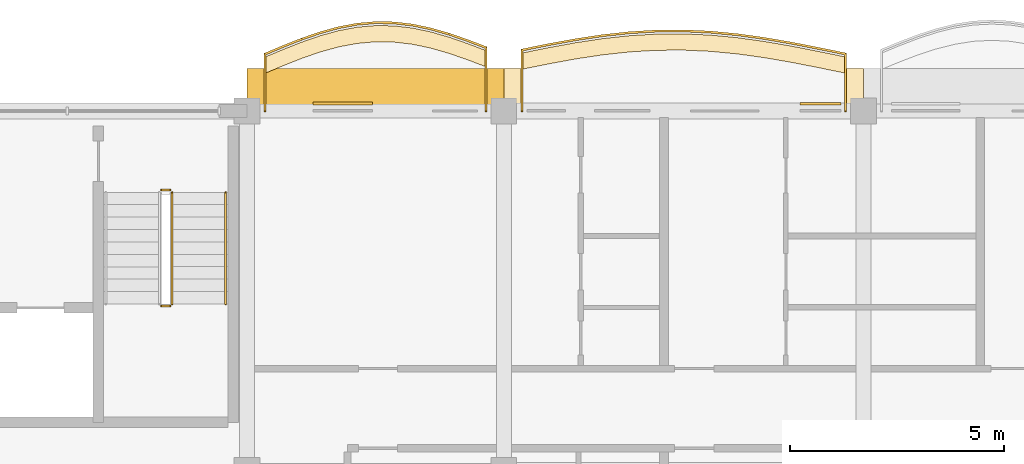
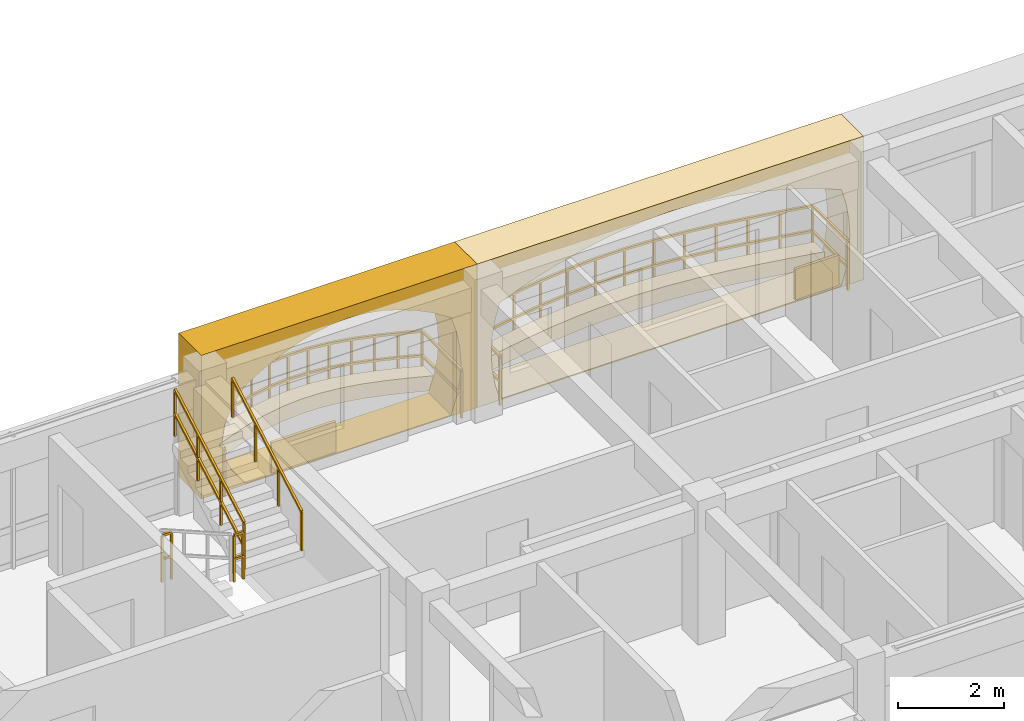
# One storey, part 55 of 68: 6 coverings, 6 railings.
"""IFC4 building model written with IfcOpenShell, lengths in metres."""

from ifc_helpers import new_model, si_unit, direction, frame, origin, origin_2d, place, context, subcontext, project, spatial, polyline, rectangle, outline, extrude, material, layer, layer_set, type_object, element, save


model = new_model("IFC4")

# Units and contexts
model_context = context("Model", 3, precision=1e-05, world=origin(), true_north=direction((0.0, 1.0)))
body_context = subcontext(model_context, "Body", "Model", "MODEL_VIEW")
ifc_project = project(units=[si_unit("LENGTHUNIT", "METRE"), si_unit("AREAUNIT", "SQUARE_METRE"), si_unit("VOLUMEUNIT", "CUBIC_METRE"), si_unit("PLANEANGLEUNIT", "RADIAN"), si_unit("MASSUNIT", "GRAM", prefix="KILO"), si_unit("THERMODYNAMICTEMPERATUREUNIT", "KELVIN")], contexts=[model_context])

# Site, building, storey
site_placement = place(None, origin())
site = spatial("IfcSite", under=ifc_project, at=site_placement, CompositionType="ELEMENT")
building_placement = place(site_placement, origin())
building = spatial("IfcBuilding", under=site, at=building_placement, Name="Thalorik Housing Commons", CompositionType="ELEMENT")
storey_placement = place(building_placement, frame((0.0, 0.0, 24.60009765625)))
storey = spatial("IfcBuildingStorey", under=building, at=storey_placement, Name="L07", CompositionType="ELEMENT", Elevation=24.60009765625)

# Coverings
ifc_material_1 = material(Name="Cobalt blue glazed ceramic facade tile panel", Category="masonry")
ifc_layer_1 = layer(ifc_material_1, 0.06005859375, Name="Cobalt blue glazed ceramic facade tile panel", Category="masonry")
ifc_layer_set_1 = layer_set([ifc_layer_1], Name="Cobalt blue glazed ceramic facade tile panel")
covering_type_1 = type_object("IfcCoveringType", Name="ARC-CLD-BLU-60", PredefinedType="CLADDING", material=ifc_layer_set_1)
covering_1_placement = place(storey_placement, frame((36.198486328125, 123.7724609375, 0.0498046875), z_axis=(0.0, 0.0, 1.0), x_axis=(-1.0, 0.0, 0.0)))
element("IfcCovering", 1, at=covering_1_placement, inside=storey, type_object=covering_type_1, Name="L07 De Stijl Recessed Window Spandrel 764", PredefinedType="CLADDING", context=body_context, shape_type="SweptSolid", body=[
    extrude(rectangle(XDim=0.949951171875, YDim=0.06005859375, at=origin_2d()), origin(), (0.0, 0.0, 1.0), 0.699951171875),
])
ifc_material_2 = material(Name="Precast concrete C40/50", Category="concrete")
ifc_layer_2 = layer(ifc_material_2, 0.85009765625, Name="Precast concrete C40/50", Category="concrete")
ifc_layer_set_2 = layer_set([ifc_layer_2], Name="Precast concrete C40/50")
covering_type_2 = type_object("IfcCoveringType", Name="ARC-CLD-CUSH-850", PredefinedType="CLADDING", material=ifc_layer_set_2)
covering_2_placement = place(storey_placement, frame((33.0, 124.16259765625, 0.0), z_axis=(0.0, 0.0, 1.0), x_axis=(-1.0, 0.0, 0.0)))
element("IfcCovering", 2, at=covering_2_placement, inside=storey, type_object=covering_type_2, Name="L07 White Precast Curved Cushion Bay Frame 763", PredefinedType="CLADDING", context=body_context, shape_type="SweptSolid", body=[
    extrude(outline(polyline([(-4.199951171875, 0.0), (4.199951171875, 0.0), (4.199951171875, 3.300048828125), (-4.199951171875, 3.300048828125), (-4.199951171875, 0.0)]), holes=[polyline([(3.706298828125, 0.02490234375), (3.810546875, 0.394287109375), (3.873046875, 0.76318359375), (3.89404296875, 1.132568359375), (3.873046875, 1.501708984375), (3.810546875, 1.870849609375), (3.706298828125, 2.239990234375), (3.087158203125, 2.4833984375), (2.468017578125, 2.6748046875), (1.848876953125, 2.82958984375), (1.229736328125, 2.94482421875), (0.610595703125, 3.01611328125), (-0.008544921875, 3.0400390625), (-0.627685546875, 3.01611328125), (-1.246826171875, 2.94482421875), (-1.8662109375, 2.82958984375), (-2.4853515625, 2.6748046875), (-3.1044921875, 2.4833984375), (-3.7236328125, 2.239990234375), (-3.82421875, 1.870849609375), (-3.884521484375, 1.501708984375), (-3.904541015625, 1.132568359375), (-3.884521484375, 0.76318359375), (-3.82421875, 0.394287109375), (-3.7236328125, 0.02490234375), (3.706298828125, 0.02490234375)])]), frame((0.0, 0.425048828125, 0.0), z_axis=(0.0, -1.0, 0.0), x_axis=(1.0, 0.0, 0.0)), (0.0, 0.0, 1.0), 0.85009765625),
])
covering_3_placement = place(storey_placement, frame((25.800048828125, 124.16259765625, 0.0), z_axis=(0.0, 0.0, 1.0), x_axis=(-1.0, 0.0, 0.0)))
element("IfcCovering", 3, at=covering_3_placement, inside=storey, type_object=covering_type_2, Name="L07 White Precast Curved Cushion Bay Frame 765", PredefinedType="CLADDING", context=body_context, shape_type="SweptSolid", body=[
    extrude(outline(polyline([(-3.0, 0.0), (3.0, 0.0), (3.0, 3.300048828125), (-3.0, 3.300048828125), (-3.0, 0.0)]), holes=[polyline([(2.0400390625, 0.02490234375), (2.3232421875, 0.399169921875), (2.493408203125, 0.773193359375), (2.550048828125, 1.1474609375), (2.493408203125, 1.521728515625), (2.3232421875, 1.895751953125), (2.0400390625, 2.27001953125), (1.66748046875, 2.50439453125), (1.294921875, 2.6884765625), (0.922607421875, 2.837646484375), (0.550048828125, 2.948486328125), (0.177490234375, 3.016845703125), (-0.195068359375, 3.0400390625), (-0.5673828125, 3.016845703125), (-0.93994140625, 2.948486328125), (-1.3125, 2.837646484375), (-1.68505859375, 2.6884765625), (-2.0576171875, 2.50439453125), (-2.429931640625, 2.27001953125), (-2.55029296875, 1.895751953125), (-2.62255859375, 1.521728515625), (-2.646484375, 1.1474609375), (-2.62255859375, 0.773193359375), (-2.55029296875, 0.399169921875), (-2.429931640625, 0.02490234375), (2.0400390625, 0.02490234375)])]), frame((0.0, 0.425048828125, 0.0), z_axis=(0.0, -1.0, 0.0), x_axis=(1.0, 0.0, 0.0)), (0.0, 0.0, 1.0), 0.85009765625),
])
ifc_material_3 = material(Name="Mineral ochre architectural terracotta panel", Category="masonry")
ifc_layer_3 = layer(ifc_material_3, 0.06494140625, Name="Mineral ochre architectural terracotta panel", Category="masonry")
ifc_layer_set_3 = layer_set([ifc_layer_3], Name="Mineral ochre architectural terracotta panel")
covering_type_3 = type_object("IfcCoveringType", Name="ARC-CLD-YEL-65", PredefinedType="CLADDING", material=ifc_layer_set_3)
covering_4_placement = place(storey_placement, frame((25.034912109375, 123.77490234375, 0.0498046875), z_axis=(0.0, 0.0, 1.0), x_axis=(-1.0, 0.0, 0.0)))
element("IfcCovering", 4, at=covering_4_placement, inside=storey, type_object=covering_type_3, Name="L07 De Stijl Recessed Window Spandrel 766", PredefinedType="CLADDING", context=body_context, shape_type="SweptSolid", body=[
    extrude(rectangle(XDim=1.39990234375, YDim=0.06494140625, at=origin_2d()), origin(), (0.0, 0.0, 1.0), 0.699951171875),
])
ifc_material_4 = material(Name="Planted vegetated substrate and terracotta trough", Category="masonry")
ifc_layer_4 = layer(ifc_material_4, 0.340087890625, Name="Planted vegetated substrate and terracotta trough", Category="masonry")
ifc_layer_set_4 = layer_set([ifc_layer_4], Name="Planted vegetated substrate and terracotta trough")
covering_type_4 = type_object("IfcCoveringType", Name="ARC-COV-PLANTER", PredefinedType="USERDEFINED", material=ifc_layer_set_4)
covering_5_placement = place(storey_placement, origin())
element("IfcCovering", 5, at=covering_5_placement, inside=storey, type_object=covering_type_4, Name="L07 Balcony Slab-Edge Planted Trough 5364", ObjectType="PLANTER", PredefinedType="USERDEFINED", context=body_context, shape_type="SweptSolid", body=[
    extrude(outline(polyline([(28.3798828125, 125.01123046875), (27.949951171875, 125.175048828125), (27.52001953125, 125.323974609375), (27.090087890625, 125.44775390625), (26.659912109375, 125.5380859375), (26.22998046875, 125.58837890625), (25.800048828125, 125.59521484375), (25.3701171875, 125.55712890625), (24.93994140625, 125.4765625), (24.510009765625, 125.35791015625), (24.080078125, 125.209228515625), (23.64990234375, 125.039306640625), (23.219970703125, 124.859375), (23.219970703125, 124.479248046875), (23.64990234375, 124.6591796875), (24.080078125, 124.8291015625), (24.510009765625, 124.97802734375), (24.93994140625, 125.096435546875), (25.3701171875, 125.177001953125), (25.800048828125, 125.215087890625), (26.22998046875, 125.20849609375), (26.659912109375, 125.158203125), (27.090087890625, 125.06787109375), (27.52001953125, 124.94384765625), (27.949951171875, 124.794921875), (28.3798828125, 124.631103515625), (28.3798828125, 125.01123046875)])), origin(), (0.0, 0.0, 1.0), 0.33984375),
])
covering_6_placement = place(storey_placement, origin())
element("IfcCovering", 6, at=covering_6_placement, inside=storey, type_object=covering_type_4, Name="L07 Balcony Slab-Edge Planted Trough 5365", ObjectType="PLANTER", PredefinedType="USERDEFINED", context=body_context, shape_type="SweptSolid", body=[
    extrude(outline(polyline([(36.780029296875, 124.8623046875), (36.14990234375, 124.9912109375), (35.52001953125, 125.114501953125), (34.889892578125, 125.2236328125), (34.260009765625, 125.3115234375), (33.6298828125, 125.3720703125), (33.0, 125.401123046875), (32.3701171875, 125.396728515625), (31.739990234375, 125.359130859375), (31.110107421875, 125.29052734375), (30.47998046875, 125.19580078125), (29.85009765625, 125.08056640625), (29.219970703125, 124.952880859375), (29.219970703125, 124.572998046875), (29.85009765625, 124.70068359375), (30.47998046875, 124.815673828125), (31.110107421875, 124.91064453125), (31.739990234375, 124.97900390625), (32.3701171875, 125.0166015625), (33.0, 125.02099609375), (33.6298828125, 124.991943359375), (34.260009765625, 124.931396484375), (34.889892578125, 124.84375), (35.52001953125, 124.734619140625), (36.14990234375, 124.611328125), (36.780029296875, 124.482177734375), (36.780029296875, 124.8623046875)])), origin(), (0.0, 0.0, 1.0), 0.33984375),
])

# Railings
ifc_material_5 = material(Name="Steel S355", Category="steel")
railing_type_1 = type_object("IfcRailingType", Name="ARC-RL-BAL-112", PredefinedType="BALUSTRADE", material=ifc_material_5)
railing_1_placement = place(storey_placement, frame((28.3798828125, 123.60009765625, 0.0)))
element("IfcRailing", 7, at=railing_1_placement, inside=storey, type_object=railing_type_1, Name="L07 Cushion Balcony Guardrail 48", PredefinedType="BALUSTRADE", context=body_context, shape_type="SweptSolid", body=[
    extrude(rectangle(XDim=0.050048828125, YDim=0.050048828125, at=origin_2d()), frame((0.0, 0.0, 1.09521484375), z_axis=(0.0, 1.0, 0.0), x_axis=(-1.0, 0.0, 0.0)), (0.0, 0.0, 1.0), 1.481201171875),
    extrude(rectangle(XDim=0.050048828125, YDim=0.050048828125, at=origin_2d()), frame((0.0, 0.0, 0.53515625), z_axis=(0.0, 1.0, 0.0), x_axis=(-1.0, 0.0, 0.0)), (0.0, 0.0, 1.0), 1.481201171875),
    extrude(rectangle(XDim=0.050048828125, YDim=0.050048828125, at=origin_2d()), frame((0.0, 1.481201171875, 1.09521484375), z_axis=(-0.934462513902, 0.35606152574, 0.0), x_axis=(-0.35606152574, -0.934462513902, 0.0)), (0.0, 0.0, 1.0), 0.460205078125),
    extrude(rectangle(XDim=0.050048828125, YDim=0.050048828125, at=origin_2d()), frame((0.0, 1.481201171875, 0.53515625), z_axis=(-0.934462513902, 0.35606152574, 0.0), x_axis=(-0.35606152574, -0.934462513902, 0.0)), (0.0, 0.0, 1.0), 0.460205078125),
    extrude(rectangle(XDim=0.050048828125, YDim=0.050048828125, at=origin_2d()), frame((-0.429931640625, 1.64501953125, 1.09521484375), z_axis=(-0.945081740918, 0.326834060317, 0.0), x_axis=(-0.326834060317, -0.945081740918, 0.0)), (0.0, 0.0, 1.0), 0.454833984375),
    extrude(rectangle(XDim=0.050048828125, YDim=0.050048828125, at=origin_2d()), frame((-0.429931640625, 1.64501953125, 0.53515625), z_axis=(-0.945081740918, 0.326834060317, 0.0), x_axis=(-0.326834060317, -0.945081740918, 0.0)), (0.0, 0.0, 1.0), 0.454833984375),
    extrude(rectangle(XDim=0.050048828125, YDim=0.050048828125, at=origin_2d()), frame((-0.85986328125, 1.793701171875, 1.09521484375), z_axis=(-0.960820796949, 0.277170337791, 0.0), x_axis=(-0.277170337791, -0.960820796949, 0.0)), (0.0, 0.0, 1.0), 0.447509765625),
    extrude(rectangle(XDim=0.050048828125, YDim=0.050048828125, at=origin_2d()), frame((-0.85986328125, 1.793701171875, 0.53515625), z_axis=(-0.960820796949, 0.277170337791, 0.0), x_axis=(-0.277170337791, -0.960820796949, 0.0)), (0.0, 0.0, 1.0), 0.447509765625),
    extrude(rectangle(XDim=0.050048828125, YDim=0.050048828125, at=origin_2d()), frame((-1.289794921875, 1.917724609375, 1.09521484375), z_axis=(-0.978655730791, 0.205506595002, 0.0), x_axis=(-0.205506595002, -0.978655730791, 0.0)), (0.0, 0.0, 1.0), 0.439453125),
    extrude(rectangle(XDim=0.050048828125, YDim=0.050048828125, at=origin_2d()), frame((-1.289794921875, 1.917724609375, 0.53515625), z_axis=(-0.978655730791, 0.205506595002, 0.0), x_axis=(-0.205506595002, -0.978655730791, 0.0)), (0.0, 0.0, 1.0), 0.439453125),
    extrude(rectangle(XDim=0.050048828125, YDim=0.050048828125, at=origin_2d()), frame((-1.719970703125, 2.008056640625, 1.09521484375), z_axis=(-0.99322738707, 0.116186735796, 0.0), x_axis=(-0.116186735796, -0.99322738707, 0.0)), (0.0, 0.0, 1.0), 0.432861328125),
    extrude(rectangle(XDim=0.050048828125, YDim=0.050048828125, at=origin_2d()), frame((-1.719970703125, 2.008056640625, 0.53515625), z_axis=(-0.99322738707, 0.116186735796, 0.0), x_axis=(-0.116186735796, -0.99322738707, 0.0)), (0.0, 0.0, 1.0), 0.432861328125),
    extrude(rectangle(XDim=0.050048828125, YDim=0.050048828125, at=origin_2d()), frame((-2.14990234375, 2.058349609375, 1.09521484375), z_axis=(-0.999882482577, 0.015330395815, 0.0), x_axis=(-0.015330395815, -0.999882482577, 0.0)), (0.0, 0.0, 1.0), 0.429931640625),
    extrude(rectangle(XDim=0.050048828125, YDim=0.050048828125, at=origin_2d()), frame((-2.14990234375, 2.058349609375, 0.53515625), z_axis=(-0.999882482577, 0.015330395815, 0.0), x_axis=(-0.015330395815, -0.999882482577, 0.0)), (0.0, 0.0, 1.0), 0.429931640625),
    extrude(rectangle(XDim=0.050048828125, YDim=0.050048828125, at=origin_2d()), frame((-2.579833984375, 2.06494140625, 1.09521484375), z_axis=(-0.996148763572, -0.087679192705, 0.0), x_axis=(0.087679192705, -0.996148763572, 0.0)), (0.0, 0.0, 1.0), 0.431640625),
    extrude(rectangle(XDim=0.050048828125, YDim=0.050048828125, at=origin_2d()), frame((-2.579833984375, 2.06494140625, 0.53515625), z_axis=(-0.996148763572, -0.087679192705, 0.0), x_axis=(0.087679192705, -0.996148763572, 0.0)), (0.0, 0.0, 1.0), 0.431640625),
    extrude(rectangle(XDim=0.050048828125, YDim=0.050048828125, at=origin_2d()), frame((-3.009765625, 2.027099609375, 1.09521484375), z_axis=(-0.982808984292, -0.184625297276, 0.0), x_axis=(0.184625297276, -0.982808984292, 0.0)), (0.0, 0.0, 1.0), 0.437744140625),
    extrude(rectangle(XDim=0.050048828125, YDim=0.050048828125, at=origin_2d()), frame((-3.009765625, 2.027099609375, 0.53515625), z_axis=(-0.982808984292, -0.184625297276, 0.0), x_axis=(0.184625297276, -0.982808984292, 0.0)), (0.0, 0.0, 1.0), 0.437744140625),
    extrude(rectangle(XDim=0.050048828125, YDim=0.050048828125, at=origin_2d()), frame((-3.43994140625, 1.9462890625, 1.09521484375), z_axis=(-0.964103843637, -0.265525476527, 0.0), x_axis=(0.265525476527, -0.964103843637, 0.0)), (0.0, 0.0, 1.0), 0.446044921875),
    extrude(rectangle(XDim=0.050048828125, YDim=0.050048828125, at=origin_2d()), frame((-3.43994140625, 1.9462890625, 0.53515625), z_axis=(-0.964103843637, -0.265525476527, 0.0), x_axis=(0.265525476527, -0.964103843637, 0.0)), (0.0, 0.0, 1.0), 0.446044921875),
    extrude(rectangle(XDim=0.050048828125, YDim=0.050048828125, at=origin_2d()), frame((-3.869873046875, 1.827880859375, 1.09521484375), z_axis=(-0.945081740918, -0.326834060317, 0.0), x_axis=(0.326834060317, -0.945081740918, 0.0)), (0.0, 0.0, 1.0), 0.454833984375),
    extrude(rectangle(XDim=0.050048828125, YDim=0.050048828125, at=origin_2d()), frame((-3.869873046875, 1.827880859375, 0.53515625), z_axis=(-0.945081740918, -0.326834060317, 0.0), x_axis=(0.326834060317, -0.945081740918, 0.0)), (0.0, 0.0, 1.0), 0.454833984375),
    extrude(rectangle(XDim=0.050048828125, YDim=0.050048828125, at=origin_2d()), frame((-4.2998046875, 1.67919921875, 1.09521484375), z_axis=(-0.930069804199, -0.367382851148, 0.0), x_axis=(0.367382851148, -0.930069804199, 0.0)), (0.0, 0.0, 1.0), 0.46240234375),
    extrude(rectangle(XDim=0.050048828125, YDim=0.050048828125, at=origin_2d()), frame((-4.2998046875, 1.67919921875, 0.53515625), z_axis=(-0.930069804199, -0.367382851148, 0.0), x_axis=(0.367382851148, -0.930069804199, 0.0)), (0.0, 0.0, 1.0), 0.46240234375),
    extrude(rectangle(XDim=0.050048828125, YDim=0.050048828125, at=origin_2d()), frame((-4.72998046875, 1.50927734375, 1.09521484375), z_axis=(-0.922284734459, -0.386511149365, 0.0), x_axis=(0.386511149365, -0.922284734459, 0.0)), (0.0, 0.0, 1.0), 0.466064453125),
    extrude(rectangle(XDim=0.050048828125, YDim=0.050048828125, at=origin_2d()), frame((-4.72998046875, 1.50927734375, 0.53515625), z_axis=(-0.922284734459, -0.386511149365, 0.0), x_axis=(0.386511149365, -0.922284734459, 0.0)), (0.0, 0.0, 1.0), 0.466064453125),
    extrude(rectangle(XDim=0.050048828125, YDim=0.050048828125, at=origin_2d()), frame((-5.159912109375, 1.3291015625, 1.09521484375), z_axis=(0.0, -1.0, 0.0), x_axis=(1.0, 0.0, 0.0)), (0.0, 0.0, 1.0), 1.3291015625),
    extrude(rectangle(XDim=0.050048828125, YDim=0.050048828125, at=origin_2d()), frame((-5.159912109375, 1.3291015625, 0.53515625), z_axis=(0.0, -1.0, 0.0), x_axis=(1.0, 0.0, 0.0)), (0.0, 0.0, 1.0), 1.3291015625),
    extrude(rectangle(XDim=0.0419921875, YDim=0.0419921875, at=origin_2d()), origin(), (0.0, 0.0, 1.0), 1.070068359375),
    extrude(rectangle(XDim=0.0419921875, YDim=0.0419921875, at=origin_2d()), frame((0.0, 1.481201171875, 0.0)), (0.0, 0.0, 1.0), 1.070068359375),
    extrude(rectangle(XDim=0.0419921875, YDim=0.0419921875, at=origin_2d()), frame((-0.429931640625, 1.64501953125, 0.0)), (0.0, 0.0, 1.0), 1.070068359375),
    extrude(rectangle(XDim=0.0419921875, YDim=0.0419921875, at=origin_2d()), frame((-0.85986328125, 1.793701171875, 0.0)), (0.0, 0.0, 1.0), 1.070068359375),
    extrude(rectangle(XDim=0.0419921875, YDim=0.0419921875, at=origin_2d()), frame((-1.289794921875, 1.917724609375, 0.0)), (0.0, 0.0, 1.0), 1.070068359375),
    extrude(rectangle(XDim=0.0419921875, YDim=0.0419921875, at=origin_2d()), frame((-1.719970703125, 2.008056640625, 0.0)), (0.0, 0.0, 1.0), 1.070068359375),
    extrude(rectangle(XDim=0.0419921875, YDim=0.0419921875, at=origin_2d()), frame((-2.14990234375, 2.058349609375, 0.0)), (0.0, 0.0, 1.0), 1.070068359375),
    extrude(rectangle(XDim=0.0419921875, YDim=0.0419921875, at=origin_2d()), frame((-2.579833984375, 2.06494140625, 0.0)), (0.0, 0.0, 1.0), 1.070068359375),
    extrude(rectangle(XDim=0.0419921875, YDim=0.0419921875, at=origin_2d()), frame((-3.009765625, 2.027099609375, 0.0)), (0.0, 0.0, 1.0), 1.070068359375),
    extrude(rectangle(XDim=0.0419921875, YDim=0.0419921875, at=origin_2d()), frame((-3.43994140625, 1.9462890625, 0.0)), (0.0, 0.0, 1.0), 1.070068359375),
    extrude(rectangle(XDim=0.0419921875, YDim=0.0419921875, at=origin_2d()), frame((-3.869873046875, 1.827880859375, 0.0)), (0.0, 0.0, 1.0), 1.070068359375),
    extrude(rectangle(XDim=0.0419921875, YDim=0.0419921875, at=origin_2d()), frame((-4.2998046875, 1.67919921875, 0.0)), (0.0, 0.0, 1.0), 1.070068359375),
    extrude(rectangle(XDim=0.0419921875, YDim=0.0419921875, at=origin_2d()), frame((-4.72998046875, 1.50927734375, 0.0)), (0.0, 0.0, 1.0), 1.070068359375),
    extrude(rectangle(XDim=0.0419921875, YDim=0.0419921875, at=origin_2d()), frame((-5.159912109375, 1.3291015625, 0.0)), (0.0, 0.0, 1.0), 1.070068359375),
    extrude(rectangle(XDim=0.0419921875, YDim=0.0419921875, at=origin_2d()), frame((-5.159912109375, 0.0, 0.0)), (0.0, 0.0, 1.0), 1.070068359375),
])
railing_type_2 = type_object("IfcRailingType", Name="ARC-RL-BAL-115", PredefinedType="BALUSTRADE", material=ifc_material_5)
railing_2_placement = place(storey_placement, frame((36.780029296875, 123.60009765625, 0.0)))
element("IfcRailing", 8, at=railing_2_placement, inside=storey, type_object=railing_type_2, Name="L07 Cushion Balcony Guardrail 49", PredefinedType="BALUSTRADE", context=body_context, shape_type="SweptSolid", body=[
    extrude(rectangle(XDim=0.050048828125, YDim=0.050048828125, at=origin_2d()), frame((0.0, 0.0, 1.125), z_axis=(0.0, 1.0, 0.0), x_axis=(-1.0, 0.0, 0.0)), (0.0, 0.0, 1.0), 1.33203125),
    extrude(rectangle(XDim=0.050048828125, YDim=0.050048828125, at=origin_2d()), frame((0.0, 0.0, 0.5498046875), z_axis=(0.0, 1.0, 0.0), x_axis=(-1.0, 0.0, 0.0)), (0.0, 0.0, 1.0), 1.33203125),
    extrude(rectangle(XDim=0.050048828125, YDim=0.050048828125, at=origin_2d()), frame((0.0, 1.33203125, 1.125), z_axis=(-0.979635255397, 0.200785373927, 0.0), x_axis=(-0.200785373927, -0.979635255397, 0.0)), (0.0, 0.0, 1.0), 0.643310546875),
    extrude(rectangle(XDim=0.050048828125, YDim=0.050048828125, at=origin_2d()), frame((0.0, 1.33203125, 0.5498046875), z_axis=(-0.979635255397, 0.200785373927, 0.0), x_axis=(-0.200785373927, -0.979635255397, 0.0)), (0.0, 0.0, 1.0), 0.643310546875),
    extrude(rectangle(XDim=0.050048828125, YDim=0.050048828125, at=origin_2d()), frame((-0.630126953125, 1.461181640625, 1.125), z_axis=(-0.981377069433, 0.192091248087, 0.0), x_axis=(-0.192091248087, -0.981377069433, 0.0)), (0.0, 0.0, 1.0), 0.641845703125),
    extrude(rectangle(XDim=0.050048828125, YDim=0.050048828125, at=origin_2d()), frame((-0.630126953125, 1.461181640625, 0.5498046875), z_axis=(-0.981377069433, 0.192091248087, 0.0), x_axis=(-0.192091248087, -0.981377069433, 0.0)), (0.0, 0.0, 1.0), 0.641845703125),
    extrude(rectangle(XDim=0.050048828125, YDim=0.050048828125, at=origin_2d()), frame((-1.260009765625, 1.58447265625, 1.125), z_axis=(-0.985331994455, 0.170648353941, 0.0), x_axis=(-0.170648353941, -0.985331994455, 0.0)), (0.0, 0.0, 1.0), 0.639404296875),
    extrude(rectangle(XDim=0.050048828125, YDim=0.050048828125, at=origin_2d()), frame((-1.260009765625, 1.58447265625, 0.5498046875), z_axis=(-0.985331994455, 0.170648353941, 0.0), x_axis=(-0.170648353941, -0.985331994455, 0.0)), (0.0, 0.0, 1.0), 0.639404296875),
    extrude(rectangle(XDim=0.050048828125, YDim=0.050048828125, at=origin_2d()), frame((-1.89013671875, 1.693603515625, 1.125), z_axis=(-0.990404895365, 0.138196031911, 0.0), x_axis=(-0.138196031911, -0.990404895365, 0.0)), (0.0, 0.0, 1.0), 0.635986328125),
    extrude(rectangle(XDim=0.050048828125, YDim=0.050048828125, at=origin_2d()), frame((-1.89013671875, 1.693603515625, 0.5498046875), z_axis=(-0.990404895365, 0.138196031911, 0.0), x_axis=(-0.138196031911, -0.990404895365, 0.0)), (0.0, 0.0, 1.0), 0.635986328125),
    extrude(rectangle(XDim=0.050048828125, YDim=0.050048828125, at=origin_2d()), frame((-2.52001953125, 1.781494140625, 1.125), z_axis=(-0.995452033252, 0.095264103918, 0.0), x_axis=(-0.095264103918, -0.995452033252, 0.0)), (0.0, 0.0, 1.0), 0.633056640625),
    extrude(rectangle(XDim=0.050048828125, YDim=0.050048828125, at=origin_2d()), frame((-2.52001953125, 1.781494140625, 0.5498046875), z_axis=(-0.995452033252, 0.095264103918, 0.0), x_axis=(-0.095264103918, -0.995452033252, 0.0)), (0.0, 0.0, 1.0), 0.633056640625),
    extrude(rectangle(XDim=0.050048828125, YDim=0.050048828125, at=origin_2d()), frame((-3.150146484375, 1.841796875, 1.125), z_axis=(-0.998920086078, 0.046461399352, 0.0), x_axis=(-0.046461399352, -0.998920086078, 0.0)), (0.0, 0.0, 1.0), 0.630615234375),
    extrude(rectangle(XDim=0.050048828125, YDim=0.050048828125, at=origin_2d()), frame((-3.150146484375, 1.841796875, 0.5498046875), z_axis=(-0.998920086078, 0.046461399352, 0.0), x_axis=(-0.046461399352, -0.998920086078, 0.0)), (0.0, 0.0, 1.0), 0.630615234375),
    extrude(rectangle(XDim=0.050048828125, YDim=0.050048828125, at=origin_2d()), frame((-3.780029296875, 1.87109375, 1.125), z_axis=(-0.999975663409, -0.006976574396, 0.0), x_axis=(0.006976574396, -0.999975663409, 0.0)), (0.0, 0.0, 1.0), 0.6298828125),
    extrude(rectangle(XDim=0.050048828125, YDim=0.050048828125, at=origin_2d()), frame((-3.780029296875, 1.87109375, 0.5498046875), z_axis=(-0.999975663409, -0.006976574396, 0.0), x_axis=(0.006976574396, -0.999975663409, 0.0)), (0.0, 0.0, 1.0), 0.6298828125),
    extrude(rectangle(XDim=0.050048828125, YDim=0.050048828125, at=origin_2d()), frame((-4.409912109375, 1.86669921875, 1.125), z_axis=(-0.998224675619, -0.059560867898, 0.0), x_axis=(0.059560867898, -0.998224675619, 0.0)), (0.0, 0.0, 1.0), 0.63134765625),
    extrude(rectangle(XDim=0.050048828125, YDim=0.050048828125, at=origin_2d()), frame((-4.409912109375, 1.86669921875, 0.5498046875), z_axis=(-0.998224675619, -0.059560867898, 0.0), x_axis=(0.059560867898, -0.998224675619, 0.0)), (0.0, 0.0, 1.0), 0.63134765625),
    extrude(rectangle(XDim=0.050048828125, YDim=0.050048828125, at=origin_2d()), frame((-5.0400390625, 1.8291015625, 1.125), z_axis=(-0.994121043518, -0.108274423732, 0.0), x_axis=(0.108274423732, -0.994121043518, 0.0)), (0.0, 0.0, 1.0), 0.633544921875),
    extrude(rectangle(XDim=0.050048828125, YDim=0.050048828125, at=origin_2d()), frame((-5.0400390625, 1.8291015625, 0.5498046875), z_axis=(-0.994121043518, -0.108274423732, 0.0), x_axis=(0.108274423732, -0.994121043518, 0.0)), (0.0, 0.0, 1.0), 0.633544921875),
    extrude(rectangle(XDim=0.050048828125, YDim=0.050048828125, at=origin_2d()), frame((-5.669921875, 1.760498046875, 1.125), z_axis=(-0.988832133664, -0.149033591629, 0.0), x_axis=(0.149033591629, -0.988832133664, 0.0)), (0.0, 0.0, 1.0), 0.63720703125),
    extrude(rectangle(XDim=0.050048828125, YDim=0.050048828125, at=origin_2d()), frame((-5.669921875, 1.760498046875, 0.5498046875), z_axis=(-0.988832133664, -0.149033591629, 0.0), x_axis=(0.149033591629, -0.988832133664, 0.0)), (0.0, 0.0, 1.0), 0.63720703125),
    extrude(rectangle(XDim=0.050048828125, YDim=0.050048828125, at=origin_2d()), frame((-6.300048828125, 1.66552734375, 1.125), z_axis=(-0.983741542598, -0.1795900258, 0.0), x_axis=(0.1795900258, -0.983741542598, 0.0)), (0.0, 0.0, 1.0), 0.640380859375),
    extrude(rectangle(XDim=0.050048828125, YDim=0.050048828125, at=origin_2d()), frame((-6.300048828125, 1.66552734375, 0.5498046875), z_axis=(-0.983741542598, -0.1795900258, 0.0), x_axis=(0.1795900258, -0.983741542598, 0.0)), (0.0, 0.0, 1.0), 0.640380859375),
    extrude(rectangle(XDim=0.050048828125, YDim=0.050048828125, at=origin_2d()), frame((-6.929931640625, 1.550537109375, 1.125), z_axis=(-0.980080963484, -0.198598350989, 0.0), x_axis=(0.198598350989, -0.980080963484, 0.0)), (0.0, 0.0, 1.0), 0.642822265625),
    extrude(rectangle(XDim=0.050048828125, YDim=0.050048828125, at=origin_2d()), frame((-6.929931640625, 1.550537109375, 0.5498046875), z_axis=(-0.980080963484, -0.198598350989, 0.0), x_axis=(0.198598350989, -0.980080963484, 0.0)), (0.0, 0.0, 1.0), 0.642822265625),
    extrude(rectangle(XDim=0.050048828125, YDim=0.050048828125, at=origin_2d()), frame((-7.56005859375, 1.4228515625, 1.125), z_axis=(0.0, -1.0, 0.0), x_axis=(1.0, 0.0, 0.0)), (0.0, 0.0, 1.0), 1.4228515625),
    extrude(rectangle(XDim=0.050048828125, YDim=0.050048828125, at=origin_2d()), frame((-7.56005859375, 1.4228515625, 0.5498046875), z_axis=(0.0, -1.0, 0.0), x_axis=(1.0, 0.0, 0.0)), (0.0, 0.0, 1.0), 1.4228515625),
    extrude(rectangle(XDim=0.0419921875, YDim=0.0419921875, at=origin_2d()), origin(), (0.0, 0.0, 1.0), 1.099853515625),
    extrude(rectangle(XDim=0.0419921875, YDim=0.0419921875, at=origin_2d()), frame((0.0, 1.33203125, 0.0)), (0.0, 0.0, 1.0), 1.099853515625),
    extrude(rectangle(XDim=0.0419921875, YDim=0.0419921875, at=origin_2d()), frame((-0.630126953125, 1.461181640625, 0.0)), (0.0, 0.0, 1.0), 1.099853515625),
    extrude(rectangle(XDim=0.0419921875, YDim=0.0419921875, at=origin_2d()), frame((-1.260009765625, 1.58447265625, 0.0)), (0.0, 0.0, 1.0), 1.099853515625),
    extrude(rectangle(XDim=0.0419921875, YDim=0.0419921875, at=origin_2d()), frame((-1.89013671875, 1.693603515625, 0.0)), (0.0, 0.0, 1.0), 1.099853515625),
    extrude(rectangle(XDim=0.0419921875, YDim=0.0419921875, at=origin_2d()), frame((-2.52001953125, 1.781494140625, 0.0)), (0.0, 0.0, 1.0), 1.099853515625),
    extrude(rectangle(XDim=0.0419921875, YDim=0.0419921875, at=origin_2d()), frame((-3.150146484375, 1.841796875, 0.0)), (0.0, 0.0, 1.0), 1.099853515625),
    extrude(rectangle(XDim=0.0419921875, YDim=0.0419921875, at=origin_2d()), frame((-3.780029296875, 1.87109375, 0.0)), (0.0, 0.0, 1.0), 1.099853515625),
    extrude(rectangle(XDim=0.0419921875, YDim=0.0419921875, at=origin_2d()), frame((-4.409912109375, 1.86669921875, 0.0)), (0.0, 0.0, 1.0), 1.099853515625),
    extrude(rectangle(XDim=0.0419921875, YDim=0.0419921875, at=origin_2d()), frame((-5.0400390625, 1.8291015625, 0.0)), (0.0, 0.0, 1.0), 1.099853515625),
    extrude(rectangle(XDim=0.0419921875, YDim=0.0419921875, at=origin_2d()), frame((-5.669921875, 1.760498046875, 0.0)), (0.0, 0.0, 1.0), 1.099853515625),
    extrude(rectangle(XDim=0.0419921875, YDim=0.0419921875, at=origin_2d()), frame((-6.300048828125, 1.66552734375, 0.0)), (0.0, 0.0, 1.0), 1.099853515625),
    extrude(rectangle(XDim=0.0419921875, YDim=0.0419921875, at=origin_2d()), frame((-6.929931640625, 1.550537109375, 0.0)), (0.0, 0.0, 1.0), 1.099853515625),
    extrude(rectangle(XDim=0.0419921875, YDim=0.0419921875, at=origin_2d()), frame((-7.56005859375, 1.4228515625, 0.0)), (0.0, 0.0, 1.0), 1.099853515625),
    extrude(rectangle(XDim=0.0419921875, YDim=0.0419921875, at=origin_2d()), frame((-7.56005859375, 0.0, 0.0)), (0.0, 0.0, 1.0), 1.099853515625),
])
railing_type_3 = type_object("IfcRailingType", Name="ARC-RL-STR-GRD110", PredefinedType="GUARDRAIL", material=ifc_material_5)
railing_3_placement = place(storey_placement, frame((20.800048828125, 119.0400390625, 1.64990234375)))
element("IfcRailing", 9, at=railing_3_placement, inside=storey, type_object=railing_type_3, Name="L07 ST-A2 stair guard 2", PredefinedType="GUARDRAIL", context=body_context, shape_type="SweptSolid", body=[
    extrude(rectangle(XDim=0.048095703125, YDim=0.048095703125, at=origin_2d()), frame((0.0, 0.0, 1.076171875), z_axis=(1.0, 0.0, 0.0), x_axis=(0.0, 1.0, 0.0)), (0.0, 0.0, 1.0), 0.199951171875),
    extrude(rectangle(XDim=0.048095703125, YDim=0.048095703125, at=origin_2d()), frame((0.0, 0.0, 0.52587890625), z_axis=(1.0, 0.0, 0.0), x_axis=(0.0, 1.0, 0.0)), (0.0, 0.0, 1.0), 0.199951171875),
    extrude(rectangle(XDim=0.0419921875, YDim=0.0419921875, at=origin_2d()), origin(), (0.0, 0.0, 1.0), 1.052001953125),
    extrude(rectangle(XDim=0.0419921875, YDim=0.0419921875, at=origin_2d()), frame((0.199951171875, 0.0, 0.0)), (0.0, 0.0, 1.0), 1.052001953125),
])
railing_4_placement = place(storey_placement, frame((21.050048828125, 119.090087890625, 1.81494140625)))
element("IfcRailing", 10, at=railing_4_placement, inside=storey, type_object=railing_type_3, Name="L07 ST-A2 stair guard 3", PredefinedType="GUARDRAIL", context=body_context, shape_type="SweptSolid", body=[
    extrude(rectangle(XDim=0.048095703125, YDim=0.048095703125, at=origin_2d()), frame((0.0, 0.0, 1.076171875), z_axis=(0.0, 0.869172267526, 0.494509422927), x_axis=(-1.0, 0.0, 0.0)), (0.0, 0.0, 1.0), 3.002685546875),
    extrude(rectangle(XDim=0.048095703125, YDim=0.048095703125, at=origin_2d()), frame((0.0, 0.0, 0.52587890625), z_axis=(0.0, 0.869172267526, 0.494509422927), x_axis=(-1.0, 0.0, 0.0)), (0.0, 0.0, 1.0), 3.002685546875),
    extrude(rectangle(XDim=0.0419921875, YDim=0.0419921875, at=origin_2d()), origin(), (0.0, 0.0, 1.0), 1.052001953125),
    extrude(rectangle(XDim=0.0419921875, YDim=0.0419921875, at=origin_2d()), frame((0.0, 0.869873046875, 0.494873046875)), (0.0, 0.0, 1.0), 1.052001953125),
    extrude(rectangle(XDim=0.0419921875, YDim=0.0419921875, at=origin_2d()), frame((0.0, 1.739990234375, 0.989990234375)), (0.0, 0.0, 1.0), 1.052001953125),
    extrude(rectangle(XDim=0.0419921875, YDim=0.0419921875, at=origin_2d()), frame((0.0, 2.60986328125, 1.48486328125)), (0.0, 0.0, 1.0), 1.052001953125),
])
railing_5_placement = place(storey_placement, frame((20.800048828125, 121.75, 0.0)))
element("IfcRailing", 11, at=railing_5_placement, inside=storey, type_object=railing_type_3, Name="L07 ST-A2 stair guard 4", PredefinedType="GUARDRAIL", context=body_context, shape_type="SweptSolid", body=[
    extrude(rectangle(XDim=0.048095703125, YDim=0.048095703125, at=origin_2d()), frame((0.0, 0.0, 1.076171875), z_axis=(1.0, 0.0, 0.0), x_axis=(0.0, 1.0, 0.0)), (0.0, 0.0, 1.0), 0.199951171875),
    extrude(rectangle(XDim=0.048095703125, YDim=0.048095703125, at=origin_2d()), frame((0.0, 0.0, 0.52587890625), z_axis=(1.0, 0.0, 0.0), x_axis=(0.0, 1.0, 0.0)), (0.0, 0.0, 1.0), 0.199951171875),
    extrude(rectangle(XDim=0.0419921875, YDim=0.0419921875, at=origin_2d()), origin(), (0.0, 0.0, 1.0), 1.052001953125),
    extrude(rectangle(XDim=0.0419921875, YDim=0.0419921875, at=origin_2d()), frame((0.199951171875, 0.0, 0.0)), (0.0, 0.0, 1.0), 1.052001953125),
])
railing_type_4 = type_object("IfcRailingType", Name="ARC-RL-STR-HR092", PredefinedType="HANDRAIL", material=ifc_material_5)
railing_6_placement = place(storey_placement, frame((22.300048828125, 119.090087890625, 1.81494140625)))
element("IfcRailing", 12, at=railing_6_placement, inside=storey, type_object=railing_type_4, Name="L07 ST-A2 stair handrail 2", PredefinedType="HANDRAIL", context=body_context, shape_type="SweptSolid", body=[
    extrude(rectangle(XDim=0.048095703125, YDim=0.048095703125, at=origin_2d()), frame((0.0, 0.0, 0.89599609375), z_axis=(0.0, 0.869172267526, 0.494509422927), x_axis=(-1.0, 0.0, 0.0)), (0.0, 0.0, 1.0), 3.002685546875),
    extrude(rectangle(XDim=0.0419921875, YDim=0.0419921875, at=origin_2d()), origin(), (0.0, 0.0, 1.0), 0.871826171875),
    extrude(rectangle(XDim=0.0419921875, YDim=0.0419921875, at=origin_2d()), frame((0.0, 0.869873046875, 0.494873046875)), (0.0, 0.0, 1.0), 0.871826171875),
    extrude(rectangle(XDim=0.0419921875, YDim=0.0419921875, at=origin_2d()), frame((0.0, 1.739990234375, 0.989990234375)), (0.0, 0.0, 1.0), 0.871826171875),
    extrude(rectangle(XDim=0.0419921875, YDim=0.0419921875, at=origin_2d()), frame((0.0, 2.60986328125, 1.48486328125)), (0.0, 0.0, 1.0), 0.871826171875),
])

save(model, "model.ifc")
